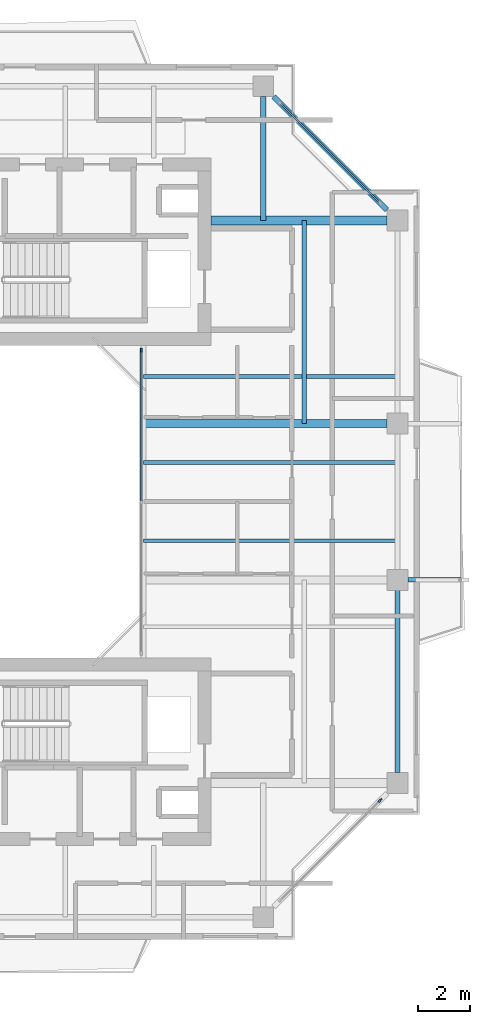
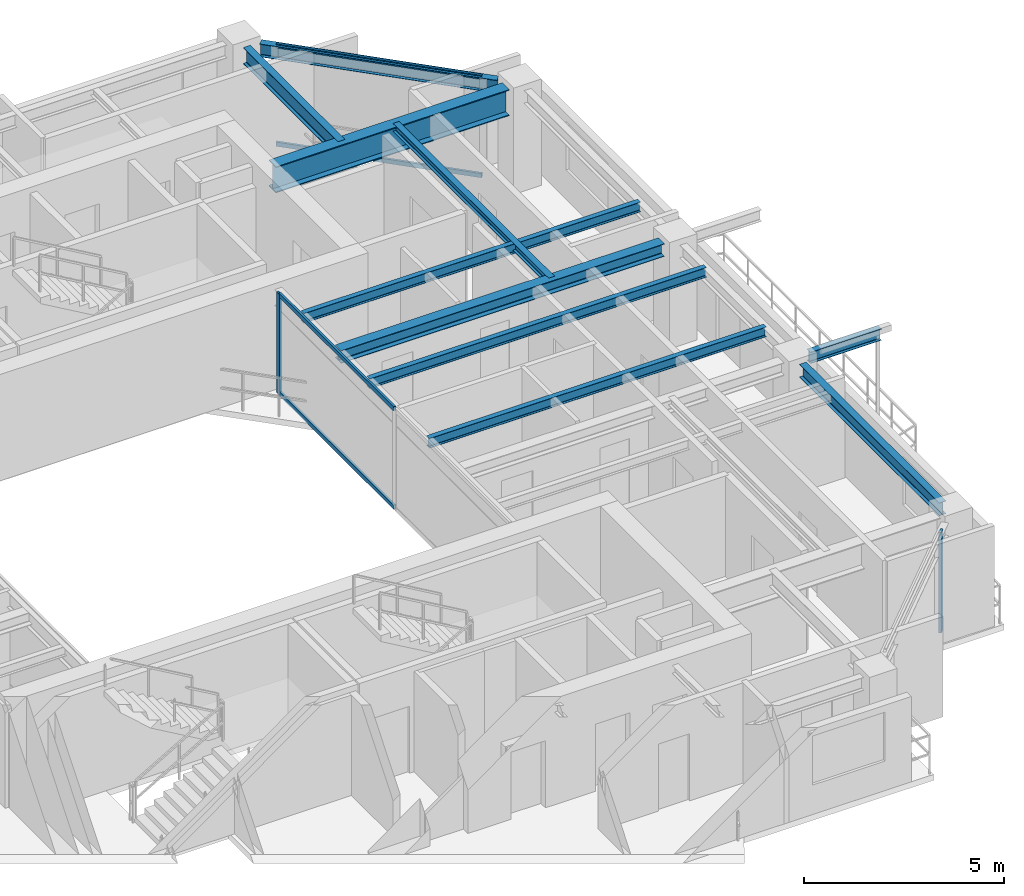
# One storey, part 6 of 15: 10 beams, 6 members, 3 elements without a shape of their own.
"""IFC4 building model written with IfcOpenShell, lengths in metres."""

from ifc_helpers import new_model, si_unit, direction, frame, origin, origin_2d, place, context, subcontext, project, spatial, rectangle, i_section, extrude, source, transform, mapped, material, layer, layer_set, material_profile, profile_set, type_object, element, aggregate, save


model = new_model("IFC4")

# Units and contexts
model_context = context("Model", 3, precision=1e-05, world=origin(), true_north=direction((0.0, 1.0)))
body_context = subcontext(model_context, "Body", "Model", "MODEL_VIEW")
ifc_project = project(units=[si_unit("LENGTHUNIT", "METRE"), si_unit("AREAUNIT", "SQUARE_METRE"), si_unit("VOLUMEUNIT", "CUBIC_METRE"), si_unit("PLANEANGLEUNIT", "RADIAN"), si_unit("MASSUNIT", "GRAM", prefix="KILO"), si_unit("THERMODYNAMICTEMPERATUREUNIT", "KELVIN"), si_unit("POWERUNIT", "WATT")], contexts=[model_context])

# Site, building, storey
site_placement = place(None, origin())
site = spatial("IfcSite", under=ifc_project, at=site_placement, CompositionType="ELEMENT")
building_placement = place(site_placement, origin())
building = spatial("IfcBuilding", under=site, at=building_placement, Name="Qiaomeng Ring Towers", CompositionType="ELEMENT")
storey_placement = place(building_placement, frame((0.0, 0.0, 200.25)))
storey = spatial("IfcBuildingStorey", under=building, at=storey_placement, Name="L58", CompositionType="ELEMENT", Elevation=200.25)

# Beams
ifc_material_1 = material(Name="Steel Q355B", Category="steel")
ifc_material_profile_1 = material_profile(ifc_material_1, i_section(OverallWidth=0.198974609375, OverallDepth=0.39599609375, WebThickness=0.007080078125, FlangeThickness=0.010986328125, FilletRadius=0.01611328125, at=origin_2d()), Name="HN 396x199x7x11")
ifc_profile_set_1 = profile_set([ifc_material_profile_1], Name="Steel Q355B")
beam_type_1 = type_object("IfcBeamType", Name="STR-BM-HN396", PredefinedType="SPANDREL", material=ifc_profile_set_1)
shared_shape_1 = source(origin(), body_context, "Body", "SweptSolid", [
    extrude(i_section(OverallWidth=0.198974609375, OverallDepth=0.39599609375, WebThickness=0.007080078125, FlangeThickness=0.010986328125, FilletRadius=0.01611328125, at=origin_2d()), origin(), (0.0, 0.0, 1.0), 6.154052734375),
])
beam_1_placement = place(storey_placement, frame((34.55078125, 34.19921875, 2.8720703125), z_axis=(-0.707106781187, 0.707106781187, 0.0), x_axis=(-0.707106781187, -0.707106781187, 0.0)))
element("IfcBeam", 1, at=beam_1_placement, inside=storey, type_object=beam_type_1, Name="L58 beam STR-SP-L58-T1-E4-N2", PredefinedType="SPANDREL", context=body_context, shape_type="MappedRepresentation", body=[
    mapped(shared_shape_1, transform((0.0, 0.0, 0.0), x_axis=(1.0, 0.0, 0.0), y_axis=(0.0, 1.0, 0.0), z_axis=(0.0, 0.0, 1.0), scale=1.0)),
])
shared_shape_2 = source(origin(), body_context, "Body", "SweptSolid", [
    extrude(i_section(OverallWidth=0.198974609375, OverallDepth=0.39599609375, WebThickness=0.007080078125, FlangeThickness=0.010986328125, FilletRadius=0.01611328125, at=origin_2d()), origin(), (0.0, 0.0, 1.0), 7.001953125),
])
beam_2_placement = place(storey_placement, frame((34.949951171875, 12.59912109375, 2.8720703125), z_axis=(0.0, 1.0, 0.0), x_axis=(-1.0, 0.0, 0.0)))
element("IfcBeam", 2, at=beam_2_placement, inside=storey, type_object=beam_type_1, Name="L58 beam STR-SP-L58-T1-E1-E2", PredefinedType="SPANDREL", context=body_context, shape_type="MappedRepresentation", body=[
    mapped(shared_shape_2, transform((0.0, 0.0, 0.0), x_axis=(1.0, 0.0, 0.0), y_axis=(0.0, 1.0, 0.0), z_axis=(0.0, 0.0, 1.0), scale=1.0)),
])
ifc_material_2 = material(Name="Steel Q390GJC", Category="steel")
ifc_material_profile_2 = material_profile(ifc_material_2, i_section(OverallWidth=0.35009765625, OverallDepth=0.800048828125, WebThickness=0.01611328125, FlangeThickness=0.028076171875, at=origin_2d()), Name="WH 800x350x16x28")
ifc_profile_set_2 = profile_set([ifc_material_profile_2], Name="Steel Q390GJC")
beam_type_2 = type_object("IfcBeamType", Name="STR-BM-WH800", PredefinedType="BEAM", material=ifc_profile_set_2)
shared_shape_3 = source(origin(), body_context, "Body", "SweptSolid", [
    extrude(i_section(OverallWidth=0.35009765625, OverallDepth=0.800048828125, WebThickness=0.01611328125, FlangeThickness=0.028076171875, at=origin_2d()), origin(), (0.0, 0.0, 1.0), 6.7509765625),
])
beam_3_placement = place(storey_placement, frame((27.800048828125, 33.800048828125, 2.669921875), z_axis=(1.0, 0.0, 0.0), x_axis=(0.0, 1.0, 0.0)))
element("IfcBeam", 3, at=beam_3_placement, inside=storey, type_object=beam_type_2, Name="L58 beam STR-BM-L58-T1-RAD-E4", PredefinedType="BEAM", context=body_context, shape_type="MappedRepresentation", body=[
    mapped(shared_shape_3, transform((0.0, 0.0, 0.0), x_axis=(1.0, 0.0, 0.0), y_axis=(0.0, 1.0, 0.0), z_axis=(0.0, 0.0, 1.0), scale=1.0)),
])
ifc_material_profile_3 = material_profile(ifc_material_1, i_section(OverallWidth=0.199951171875, OverallDepth=0.5, WebThickness=0.010009765625, FlangeThickness=0.01611328125, FilletRadius=0.02001953125, at=origin_2d()), Name="HN 500x200x10x16")
ifc_profile_set_3 = profile_set([ifc_material_profile_3], Name="Steel Q355B")
beam_type_3 = type_object("IfcBeamType", Name="STR-BM-HN500", PredefinedType="BEAM", material=ifc_profile_set_3)
shared_shape_4 = source(origin(), body_context, "Body", "SweptSolid", [
    extrude(i_section(OverallWidth=0.199951171875, OverallDepth=0.5, WebThickness=0.010009765625, FlangeThickness=0.01611328125, FilletRadius=0.02001953125, at=origin_2d()), origin(), (0.0, 0.0, 1.0), 4.7509765625),
])
beam_4_placement = place(storey_placement, frame((29.800048828125, 38.551025390625, 2.820068359375), z_axis=(0.0, -1.0, 0.0), x_axis=(1.0, 0.0, 0.0)))
element("IfcBeam", 4, at=beam_4_placement, inside=storey, type_object=beam_type_3, Name="L58 beam STR-BM-L58-T1-RAD-N2", PredefinedType="BEAM", context=body_context, shape_type="MappedRepresentation", body=[
    mapped(shared_shape_4, transform((0.0, 0.0, 0.0), x_axis=(1.0, 0.0, 0.0), y_axis=(0.0, 1.0, 0.0), z_axis=(0.0, 0.0, 1.0), scale=1.0)),
])
ifc_material_profile_4 = material_profile(ifc_material_1, i_section(OverallWidth=0.300048828125, OverallDepth=0.389892578125, WebThickness=0.010009765625, FlangeThickness=0.01611328125, FilletRadius=0.02197265625, at=origin_2d()), Name="HM 390x300x10x16")
ifc_profile_set_4 = profile_set([ifc_material_profile_4], Name="Steel Q355B")
beam_type_4 = type_object("IfcBeamType", Name="STR-BM-HM390", PredefinedType="BEAM", material=ifc_profile_set_4)
shared_shape_5 = source(origin(), body_context, "Body", "SweptSolid", [
    extrude(i_section(OverallWidth=0.300048828125, OverallDepth=0.389892578125, WebThickness=0.010009765625, FlangeThickness=0.01611328125, FilletRadius=0.02197265625, at=origin_2d()), origin(), (0.0, 0.0, 1.0), 9.35107421875),
])
beam_5_placement = place(storey_placement, frame((25.199951171875, 26.0, 2.875), z_axis=(1.0, 0.0, 0.0), x_axis=(0.0, 1.0, 0.0)))
element("IfcBeam", 5, at=beam_5_placement, inside=storey, type_object=beam_type_4, Name="L58 beam STR-BM-L58-T1-RAD-E3", PredefinedType="BEAM", context=body_context, shape_type="MappedRepresentation", body=[
    mapped(shared_shape_5, transform((0.0, 0.0, 0.0), x_axis=(1.0, 0.0, 0.0), y_axis=(0.0, 1.0, 0.0), z_axis=(0.0, 0.0, 1.0), scale=1.0)),
])
ifc_material_profile_5 = material_profile(ifc_material_1, i_section(OverallWidth=0.175048828125, OverallDepth=0.35009765625, WebThickness=0.007080078125, FlangeThickness=0.010986328125, FilletRadius=0.013916015625, at=origin_2d()), Name="HN 350x175x7x11")
ifc_profile_set_5 = profile_set([ifc_material_profile_5], Name="Steel Q355B")
beam_type_5 = type_object("IfcBeamType", Name="STR-BM-HN350", PredefinedType="JOIST", material=ifc_profile_set_5)
shared_shape_6 = source(origin(), body_context, "Body", "SweptSolid", [
    extrude(i_section(OverallWidth=0.175048828125, OverallDepth=0.35009765625, WebThickness=0.007080078125, FlangeThickness=0.010986328125, FilletRadius=0.013916015625, at=origin_2d()), origin(), (0.0, 0.0, 1.0), 2.05078125),
])
beam_6_placement = place(storey_placement, frame((35.34912109375, 20.0, 2.89501953125), z_axis=(1.0, 0.0, 0.0), x_axis=(0.0, 1.0, 0.0)))
element("IfcBeam", 6, at=beam_6_placement, inside=storey, type_object=beam_type_5, Name="L58 beam STR-BALBM-L58-E2", PredefinedType="JOIST", context=body_context, shape_type="MappedRepresentation", body=[
    mapped(shared_shape_6, transform((0.0, 0.0, 0.0), x_axis=(1.0, 0.0, 0.0), y_axis=(0.0, 1.0, 0.0), z_axis=(0.0, 0.0, 1.0), scale=1.0)),
])
ifc_material_profile_6 = material_profile(ifc_material_1, i_section(OverallWidth=0.14990234375, OverallDepth=0.300048828125, WebThickness=0.006591796875, FlangeThickness=0.009033203125, FilletRadius=0.012939453125, at=origin_2d()), Name="HN 300x150x6.5x9")
ifc_profile_set_6 = profile_set([ifc_material_profile_6], Name="Steel Q355B")
beam_type_6 = type_object("IfcBeamType", Name="STR-BM-HN300", PredefinedType="JOIST", material=ifc_profile_set_6)
shared_shape_7 = source(origin(), body_context, "Body", "SweptSolid", [
    extrude(i_section(OverallWidth=0.14990234375, OverallDepth=0.300048828125, WebThickness=0.006591796875, FlangeThickness=0.009033203125, FilletRadius=0.012939453125, at=origin_2d()), origin(), (0.0, 0.0, 1.0), 9.75),
])
for number, where, z_axis, x_axis, name in (
    (7, (25.199951171875, 21.5, 2.919921875), (1.0, 0.0, 0.0), (0.0, 1.0, 0.0), "L58 beam STR-JST-L58-T1E-2"),
    (8, (25.199951171875, 24.5, 2.919921875), (1.0, 0.0, 0.0), (0.0, 1.0, 0.0), "L58 beam STR-JST-L58-T1E-3"),
    (9, (25.199951171875, 27.800048828125, 2.919921875), (1.0, 0.0, 0.0), (0.0, 1.0, 0.0), "L58 beam STR-JST-L58-T1E-4"),
):
    element("IfcBeam", number, at=place(storey_placement, frame(where, z_axis=z_axis, x_axis=x_axis)), inside=storey, type_object=beam_type_6, Name=name, PredefinedType="JOIST", context=body_context, shape_type="MappedRepresentation", body=[
        mapped(shared_shape_7, transform((0.0, 0.0, 0.0), x_axis=(1.0, 0.0, 0.0), y_axis=(0.0, 1.0, 0.0), z_axis=(0.0, 0.0, 1.0), scale=1.0)),
    ])
ifc_material_profile_7 = material_profile(ifc_material_1, i_section(OverallWidth=0.175048828125, OverallDepth=0.243896484375, WebThickness=0.007080078125, FlangeThickness=0.010986328125, FilletRadius=0.01611328125, at=origin_2d()), Name="HM 244x175x7x11")
ifc_profile_set_7 = profile_set([ifc_material_profile_7], Name="Steel Q355B")
beam_type_7 = type_object("IfcBeamType", Name="STR-BM-HM244", PredefinedType="JOIST", material=ifc_profile_set_7)
shared_shape_8 = source(origin(), body_context, "Body", "SweptSolid", [
    extrude(i_section(OverallWidth=0.175048828125, OverallDepth=0.243896484375, WebThickness=0.007080078125, FlangeThickness=0.010986328125, FilletRadius=0.01611328125, at=origin_2d()), origin(), (0.0, 0.0, 1.0), 7.800048828125),
])
beam_7_placement = place(storey_placement, frame((31.375, 26.0, 2.947998046875), z_axis=(0.0, 1.0, 0.0), x_axis=(-1.0, 0.0, 0.0)))
element("IfcBeam", 10, at=beam_7_placement, inside=storey, type_object=beam_type_7, Name="L58 beam STR-JST-L58-T1C-EN", PredefinedType="JOIST", context=body_context, shape_type="MappedRepresentation", body=[
    mapped(shared_shape_8, transform((0.0, 0.0, 0.0), x_axis=(1.0, 0.0, 0.0), y_axis=(0.0, 1.0, 0.0), z_axis=(0.0, 0.0, 1.0), scale=1.0)),
])

# Curtain wall, members
ifc_material_3 = material(Name="Fluorocarbon dark-grey aluminium", Category="aluminium")
ifc_layer_1 = layer(ifc_material_3, 0.139892578125, Name="Fluorocarbon dark-grey aluminium")
ifc_layer_set_1 = layer_set([ifc_layer_1], Name="Fluorocarbon dark-grey aluminium")
curtain_wall_type_1 = type_object("IfcCurtainWallType", Name="ARC-CW-4", PredefinedType="NOTDEFINED", material=ifc_layer_set_1)
curtain_wall_1_placement = place(storey_placement, origin())
curtain_wall_1 = element("IfcCurtainWall", 11, at=curtain_wall_1_placement, inside=storey, type_object=curtain_wall_type_1, Name="L58 Curtain Wall CW4", PredefinedType="NOTDEFINED")
ifc_material_profile_8 = material_profile(ifc_material_3, rectangle(XDim=0.06494140625, YDim=0.159912109375, at=origin_2d()), Name="ALU MULL 65x160")
ifc_profile_set_8 = profile_set([ifc_material_profile_8], Name="Fluorocarbon dark-grey aluminium")
member_type_1 = type_object("IfcMemberType", Name="ARC-CWM-140", PredefinedType="MULLION", material=ifc_profile_set_8)
shared_shape_9 = source(origin(), body_context, "Body", "SweptSolid", [
    extrude(rectangle(XDim=0.06494140625, YDim=0.159912109375, at=origin_2d()), origin(), (0.0, 0.0, 1.0), 3.070068359375),
])
member_1_placement = place(storey_placement, frame((25.1201171875, 28.8173828125, 0.0), z_axis=(0.0, 0.0, 1.0), x_axis=(-1.0, 0.0, 0.0)))
member_1 = element("IfcMember", 12, at=member_1_placement, type_object=member_type_1, Name="CW4 mullion 3", PredefinedType="MULLION", context=body_context, shape_type="MappedRepresentation", body=[
    mapped(shared_shape_9, transform((0.0, 0.0, 0.0), x_axis=(1.0, 0.0, 0.0), y_axis=(0.0, 1.0, 0.0), z_axis=(0.0, 0.0, 1.0), scale=1.0)),
])
ifc_material_profile_9 = material_profile(ifc_material_3, rectangle(XDim=0.06494140625, YDim=0.1298828125, at=origin_2d()), Name="ALU TRAN 65x130")
ifc_profile_set_9 = profile_set([ifc_material_profile_9], Name="Fluorocarbon dark-grey aluminium")
member_type_2 = type_object("IfcMemberType", Name="ARC-CWT-120", PredefinedType="USERDEFINED", material=ifc_profile_set_9)
shared_shape_10 = source(origin(), body_context, "Body", "SweptSolid", [
    extrude(rectangle(XDim=0.06494140625, YDim=0.1298828125, at=origin_2d()), origin(), (0.0, 0.0, 1.0), 5.75244140625),
])
member_2_placement = place(storey_placement, frame((25.1201171875, 23.032470703125, 0.032470703125), z_axis=(0.0, 1.0, 0.0), x_axis=(-1.0, 0.0, 0.0)))
member_2 = element("IfcMember", 13, at=member_2_placement, type_object=member_type_2, Name="CW4 transom 2.1", ObjectType="TRANSOM", PredefinedType="USERDEFINED", context=body_context, shape_type="MappedRepresentation", body=[
    mapped(shared_shape_10, transform((0.0, 0.0, 0.0), x_axis=(1.0, 0.0, 0.0), y_axis=(0.0, 1.0, 0.0), z_axis=(0.0, 0.0, 1.0), scale=1.0)),
])
member_3_placement = place(storey_placement, frame((25.1201171875, 23.032470703125, 3.03759765625), z_axis=(0.0, 1.0, 0.0), x_axis=(-1.0, 0.0, 0.0)))
member_3 = element("IfcMember", 14, at=member_3_placement, type_object=member_type_2, Name="CW4 transom 2.2", ObjectType="TRANSOM", PredefinedType="USERDEFINED", context=body_context, shape_type="MappedRepresentation", body=[
    mapped(shared_shape_10, transform((0.0, 0.0, 0.0), x_axis=(1.0, 0.0, 0.0), y_axis=(0.0, 1.0, 0.0), z_axis=(0.0, 0.0, 1.0), scale=1.0)),
])
aggregate(curtain_wall_1, [member_1, member_2, member_3])

# Curtain wall, member
ifc_layer_2 = layer(ifc_material_3, 0.14990234375, Name="Fluorocarbon dark-grey aluminium")
ifc_layer_set_2 = layer_set([ifc_layer_2], Name="Fluorocarbon dark-grey aluminium")
curtain_wall_type_2 = type_object("IfcCurtainWallType", Name="ARC-CW-3", PredefinedType="NOTDEFINED", material=ifc_layer_set_2)
curtain_wall_2_placement = place(storey_placement, origin())
curtain_wall_2 = element("IfcCurtainWall", 15, at=curtain_wall_2_placement, inside=storey, type_object=curtain_wall_type_2, Name="L58 Curtain Wall CW3", PredefinedType="NOTDEFINED")
ifc_material_profile_10 = material_profile(ifc_material_3, rectangle(XDim=0.070068359375, YDim=0.179931640625, at=origin_2d()), Name="ALU MULL 70x180")
ifc_profile_set_10 = profile_set([ifc_material_profile_10], Name="Fluorocarbon dark-grey aluminium")
member_type_3 = type_object("IfcMemberType", Name="ARC-CWM-160", PredefinedType="MULLION", material=ifc_profile_set_10)
shared_shape_11 = source(origin(), body_context, "Body", "SweptSolid", [
    extrude(rectangle(XDim=0.070068359375, YDim=0.179931640625, at=origin_2d()), origin(), (0.0, 0.0, 1.0), 3.070068359375),
])
member_4_placement = place(storey_placement, frame((34.28515625, 11.53515625, 0.0), z_axis=(0.0, 0.0, 1.0), x_axis=(-0.707106781187, 0.707106781187, 0.0)))
member_4 = element("IfcMember", 16, at=member_4_placement, type_object=member_type_3, Name="CW3 mullion 2", PredefinedType="MULLION", context=body_context, shape_type="MappedRepresentation", body=[
    mapped(shared_shape_11, transform((0.0, 0.0, 0.0), x_axis=(1.0, 0.0, 0.0), y_axis=(0.0, 1.0, 0.0), z_axis=(0.0, 0.0, 1.0), scale=1.0)),
])
aggregate(curtain_wall_2, [member_4])

# Curtain wall, members
curtain_wall_3_placement = place(storey_placement, origin())
curtain_wall_3 = element("IfcCurtainWall", 17, at=curtain_wall_3_placement, inside=storey, type_object=curtain_wall_type_2, Name="L58 Curtain Wall CW3", PredefinedType="NOTDEFINED")
shared_shape_12 = source(origin(), body_context, "Body", "SweptSolid", [
    extrude(rectangle(XDim=0.06494140625, YDim=0.1298828125, at=origin_2d()), origin(), (0.0, 0.0, 1.0), 5.3330078125),
])
member_5_placement = place(storey_placement, frame((34.260498046875, 34.489501953125, 0.032470703125), z_axis=(-0.707106781187, 0.707106781187, 0.0), x_axis=(-0.707106781187, -0.707106781187, 0.0)))
member_5 = element("IfcMember", 18, at=member_5_placement, type_object=member_type_2, Name="CW3 transom 1.1", ObjectType="TRANSOM", PredefinedType="USERDEFINED", context=body_context, shape_type="MappedRepresentation", body=[
    mapped(shared_shape_12, transform((0.0, 0.0, 0.0), x_axis=(1.0, 0.0, 0.0), y_axis=(0.0, 1.0, 0.0), z_axis=(0.0, 0.0, 1.0), scale=1.0)),
])
member_6_placement = place(storey_placement, frame((34.260498046875, 34.489501953125, 3.03759765625), z_axis=(-0.707106781187, 0.707106781187, 0.0), x_axis=(-0.707106781187, -0.707106781187, 0.0)))
member_6 = element("IfcMember", 19, at=member_6_placement, type_object=member_type_2, Name="CW3 transom 1.2", ObjectType="TRANSOM", PredefinedType="USERDEFINED", context=body_context, shape_type="MappedRepresentation", body=[
    mapped(shared_shape_12, transform((0.0, 0.0, 0.0), x_axis=(1.0, 0.0, 0.0), y_axis=(0.0, 1.0, 0.0), z_axis=(0.0, 0.0, 1.0), scale=1.0)),
])
aggregate(curtain_wall_3, [member_5, member_6])

save(model, "model.ifc")
